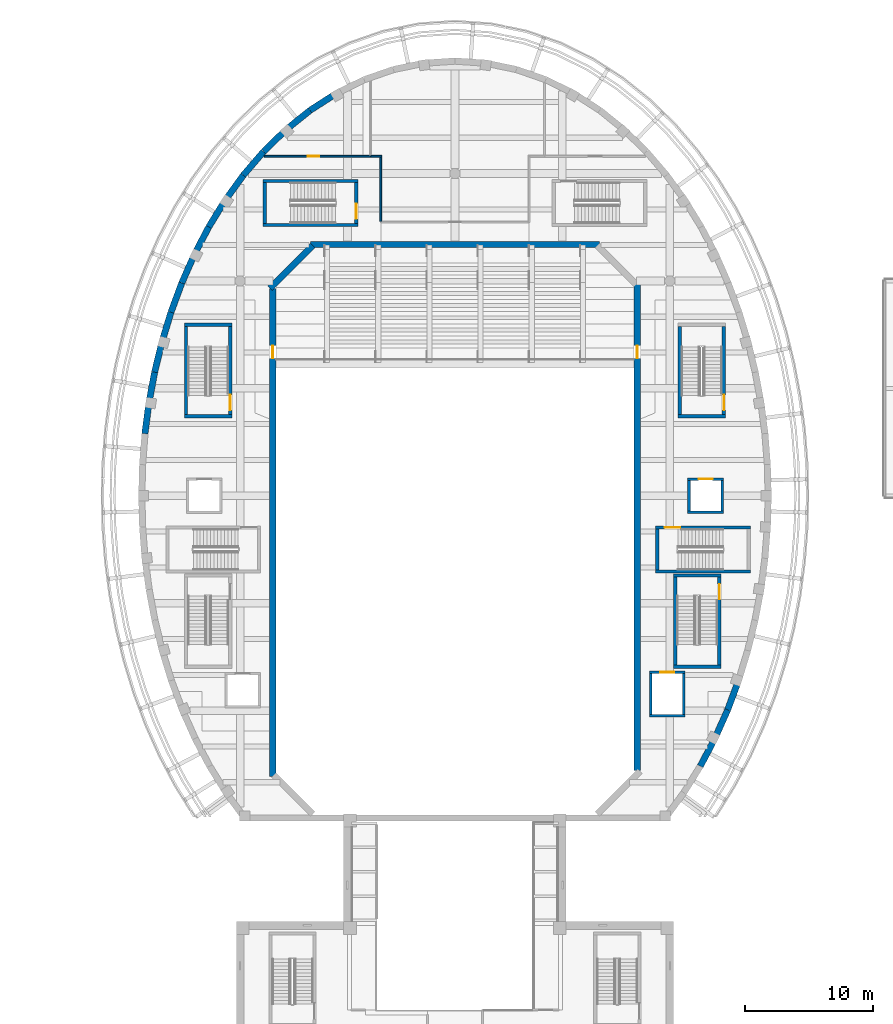
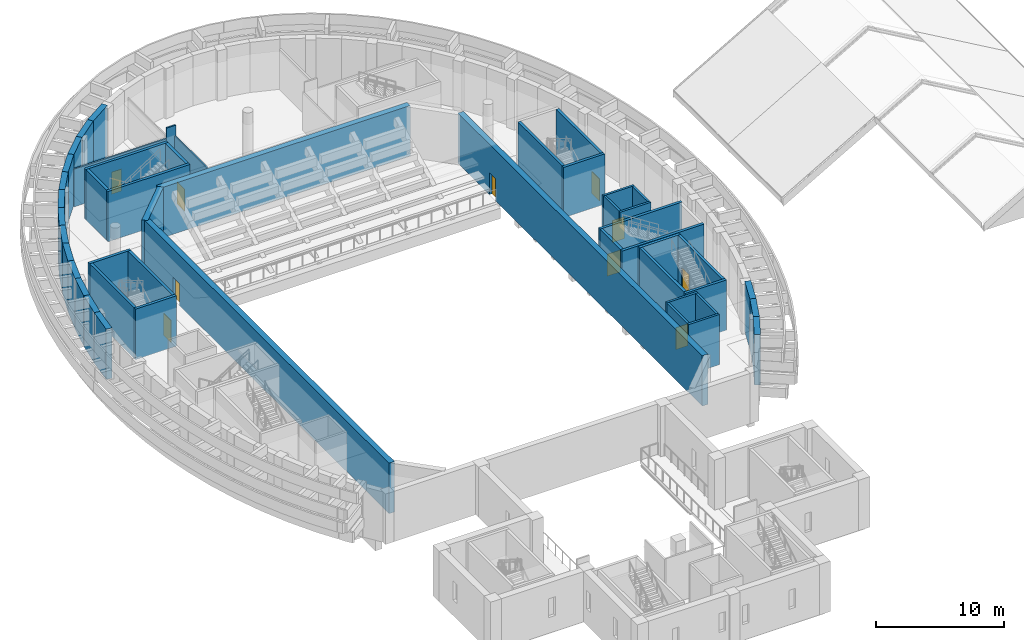
# One storey, part 13 of 37: 49 walls, 10 doors, 10 openings.
"""IFC4 building model written with IfcOpenShell, lengths in metres."""

from ifc_helpers import new_model, si_unit, direction, frame, frame_2d, origin, place, context, subcontext, project, spatial, rectangle, extrude, material, layer, layer_set, type_object, element, fill, save


model = new_model("IFC4")

# Units and contexts
model_context = context("Model", 3, precision=1e-05, world=origin(), true_north=direction((0.0, 1.0)))
body_context = subcontext(model_context, "Body", "Model", "MODEL_VIEW")
ifc_project = project(units=[si_unit("LENGTHUNIT", "METRE"), si_unit("AREAUNIT", "SQUARE_METRE"), si_unit("VOLUMEUNIT", "CUBIC_METRE"), si_unit("PLANEANGLEUNIT", "RADIAN"), si_unit("MASSUNIT", "GRAM", prefix="KILO")], contexts=[model_context])

# Site, building, storey
site_placement = place(None, origin())
site = spatial("IfcSite", under=ifc_project, at=site_placement, CompositionType="ELEMENT")
building_placement = place(site_placement, origin())
building = spatial("IfcBuilding", under=site, at=building_placement, Name="Larchfold Concert Hall", CompositionType="ELEMENT")
storey_placement = place(building_placement, frame((0.0, 0.0, 19.199951171875)))
storey = spatial("IfcBuildingStorey", under=building, at=storey_placement, Name="L04", CompositionType="ELEMENT", Elevation=19.199951171875)

# Wall, opening, door
ifc_material_1 = material(Name="Plasterboard partition on steel studs", Category="steel")
ifc_layer_1 = layer(ifc_material_1, 0.125)
ifc_layer_set_1 = layer_set([ifc_layer_1], Name="Plasterboard partition on steel studs")
wall_type_1 = type_object("IfcWallType", Name="Corridor partition 125 EI 60", PredefinedType="PARTITIONING", material=ifc_layer_set_1)
wall_1_placement = place(storey_placement, frame((27.69091796875, 111.14892578125, 0.0), z_axis=(0.0, 0.0, 1.0), x_axis=(1.0, 0.0, 0.0)))
wall_1 = element("IfcWall", 1, at=wall_1_placement, inside=storey, type_object=wall_type_1, Name="Partition IW0005", PredefinedType="PARTITIONING", context=body_context, shape_type="SweptSolid", body=[
    extrude(rectangle(XDim=8.328125, YDim=0.125, at=frame_2d((4.1640625, 0.0))), origin(), (0.0, 0.0, 1.0), 3.60009765625),
])
opening_1_placement = place(wall_1_placement, frame((3.39208984375, 0.0, 0.0)))
opening_1 = element("IfcOpeningElement", 2, at=opening_1_placement, cuts=wall_1, Name="Opening D-L04-103", PredefinedType="OPENING", context=body_context, shape_type="SweptSolid", body=[
    extrude(rectangle(XDim=0.89990234375, YDim=2.10009765625, at=frame_2d((0.449951171875, 1.050048828125))), frame((0.0, 0.072509765625, 0.0), z_axis=(0.0, -1.0, 0.0), x_axis=(1.0, 0.0, 0.0)), (0.0, 0.0, 1.0), 0.14501953125),
])
ifc_material_2 = material(Name="Timber door leaf", Category="wood")
door_type_1 = type_object("IfcDoorType", Name="Public toilet door 900 x 2100 FD30S", OperationType="SINGLE_SWING_LEFT", PredefinedType="DOOR", material=ifc_material_2)
door_1_placement = place(opening_1_placement, origin())
door_1 = element("IfcDoor", 3, at=door_1_placement, inside=storey, type_object=door_type_1, Name="Door D-L04-103", OperationType="SINGLE_SWING_RIGHT", OverallHeight=2.10009765625, OverallWidth=0.89990234375, PredefinedType="DOOR", context=body_context, shape_type="SweptSolid", body=[
    extrude(rectangle(XDim=0.89990234375, YDim=2.10009765625, at=frame_2d((0.449951171875, 1.050048828125))), frame((0.0, 0.02490234375, 0.0), z_axis=(0.0, -1.0, 0.0), x_axis=(1.0, 0.0, 0.0)), (0.0, 0.0, 1.0), 0.050048828125),
])
fill(opening_1, door_1)

# Walls
wall_2_placement = place(storey_placement, frame((36.02001953125, 111.14892578125, 0.0), z_axis=(0.0, 0.0, 1.0), x_axis=(1.0, 0.0, 0.0)))
element("IfcWall", 4, at=wall_2_placement, inside=storey, type_object=wall_type_1, Name="Partition IW0006", PredefinedType="PARTITIONING", context=body_context, shape_type="SweptSolid", body=[
    extrude(rectangle(XDim=0.841552734375, YDim=0.125, at=frame_2d((0.4208984375, 0.0))), origin(), (0.0, 0.0, 1.0), 4.60009765625),
])
wall_3_placement = place(storey_placement, frame((36.799072265625, 111.08642578125, 0.0), z_axis=(0.0, 0.0, 1.0), x_axis=(0.0, -1.0, 0.0)))
element("IfcWall", 5, at=wall_3_placement, inside=storey, type_object=wall_type_1, Name="Partition IW0007", PredefinedType="PARTITIONING", context=body_context, shape_type="SweptSolid", body=[
    extrude(rectangle(XDim=5.021484375, YDim=0.125, at=frame_2d((2.5107421875, 0.0))), origin(), (0.0, 0.0, 1.0), 3.60009765625),
])
ifc_material_3 = material(Name="Concrete C40/50", Category="concrete")
ifc_layer_2 = layer(ifc_material_3, 0.199951171875)
ifc_layer_set_2 = layer_set([ifc_layer_2], Name="Concrete C40/50")
wall_type_2 = type_object("IfcWallType", Name="Wall RC 200 lift shaft", PredefinedType="SOLIDWALL", material=ifc_layer_set_2)
wall_4_placement = place(storey_placement, frame((57.800048828125, 67.400146484375, 0.0), z_axis=(0.0, 0.0, 1.0), x_axis=(1.0, 0.0, 0.0)))
element("IfcWall", 6, at=wall_4_placement, inside=storey, type_object=wall_type_2, Name="Wall W0086", PredefinedType="SOLIDWALL", context=body_context, shape_type="SweptSolid", body=[
    extrude(rectangle(XDim=2.800048828125, YDim=0.199951171875, at=frame_2d((1.39990234375, 0.0))), origin(), (0.0, 0.0, 1.0), 4.800048828125),
])

# Wall, opening, door
wall_5_placement = place(storey_placement, frame((57.800048828125, 70.7998046875, 0.0), z_axis=(0.0, 0.0, 1.0), x_axis=(1.0, 0.0, 0.0)))
wall_5 = element("IfcWall", 7, at=wall_5_placement, inside=storey, type_object=wall_type_2, Name="Wall W0087", PredefinedType="SOLIDWALL", context=body_context, shape_type="SweptSolid", body=[
    extrude(rectangle(XDim=2.800048828125, YDim=0.199951171875, at=frame_2d((1.39990234375, 0.0))), origin(), (0.0, 0.0, 1.0), 4.800048828125),
])
opening_2_placement = place(wall_5_placement, frame((0.85009765625, 0.0, 0.0)))
opening_2 = element("IfcOpeningElement", 8, at=opening_2_placement, cuts=wall_5, Name="Opening LD-LF01", PredefinedType="OPENING", context=body_context, shape_type="SweptSolid", body=[
    extrude(rectangle(XDim=1.10009765625, YDim=2.10009765625, at=frame_2d((0.550048828125, 1.050048828125))), frame((0.0, 0.10986328125, 0.0), z_axis=(0.0, -1.0, 0.0), x_axis=(1.0, 0.0, 0.0)), (0.0, 0.0, 1.0), 0.219970703125),
])
ifc_material_4 = material(Name="Stainless steel sliding leaves", Category="steel")
door_type_2 = type_object("IfcDoorType", Name="Lift landing door sliding 1100 x 2100", OperationType="SLIDING_TO_LEFT", PredefinedType="DOOR", material=ifc_material_4)
door_2_placement = place(opening_2_placement, origin())
door_2 = element("IfcDoor", 9, at=door_2_placement, inside=storey, type_object=door_type_2, Name="Lift landing door LF01", OperationType="SLIDING_TO_LEFT", OverallHeight=2.10009765625, OverallWidth=1.10009765625, PredefinedType="DOOR", context=body_context, shape_type="SweptSolid", body=[
    extrude(rectangle(XDim=1.10009765625, YDim=2.10009765625, at=frame_2d((0.550048828125, 1.050048828125))), frame((0.0, 0.02490234375, 0.0), z_axis=(0.0, -1.0, 0.0), x_axis=(1.0, 0.0, 0.0)), (0.0, 0.0, 1.0), 0.050048828125),
])
fill(opening_2, door_2)

# Walls
for number, where, z_axis, x_axis, name in (
    (10, (57.900146484375, 67.5, 0.0), (0.0, 0.0, 1.0), (0.0, 1.0, 0.0), "Wall W0088"),
    (11, (60.5, 67.5, 0.0), (0.0, 0.0, 1.0), (0.0, 1.0, 0.0), "Wall W0089"),
):
    element("IfcWall", number, at=place(storey_placement, frame(where, z_axis=z_axis, x_axis=x_axis)), inside=storey, type_object=wall_type_2, Name=name, PredefinedType="SOLIDWALL", context=body_context, shape_type="SweptSolid", body=[
        extrude(rectangle(XDim=3.199951171875, YDim=0.199951171875, at=frame_2d((1.60009765625, 0.0))), origin(), (0.0, 0.0, 1.0), 4.800048828125),
    ])
wall_6_placement = place(storey_placement, frame((60.800048828125, 83.300048828125, 0.0), z_axis=(0.0, 0.0, 1.0), x_axis=(1.0, 0.0, 0.0)))
element("IfcWall", 12, at=wall_6_placement, inside=storey, type_object=wall_type_2, Name="Wall W0094", PredefinedType="SOLIDWALL", context=body_context, shape_type="SweptSolid", body=[
    extrude(rectangle(XDim=2.800048828125, YDim=0.199951171875, at=frame_2d((1.39990234375, 0.0))), origin(), (0.0, 0.0, 1.0), 4.800048828125),
])

# Wall, opening, door
wall_7_placement = place(storey_placement, frame((60.800048828125, 85.89990234375, 0.0), z_axis=(0.0, 0.0, 1.0), x_axis=(1.0, 0.0, 0.0)))
wall_7 = element("IfcWall", 13, at=wall_7_placement, inside=storey, type_object=wall_type_2, Name="Wall W0095", PredefinedType="SOLIDWALL", context=body_context, shape_type="SweptSolid", body=[
    extrude(rectangle(XDim=2.800048828125, YDim=0.199951171875, at=frame_2d((1.39990234375, 0.0))), origin(), (0.0, 0.0, 1.0), 4.800048828125),
])
opening_3_placement = place(wall_7_placement, frame((0.85009765625, 0.0, 0.0)))
opening_3 = element("IfcOpeningElement", 14, at=opening_3_placement, cuts=wall_7, Name="Opening LD-LF03", PredefinedType="OPENING", context=body_context, shape_type="SweptSolid", body=[
    extrude(rectangle(XDim=1.10009765625, YDim=2.10009765625, at=frame_2d((0.550048828125, 1.050048828125))), frame((0.0, 0.10986328125, 0.0), z_axis=(0.0, -1.0, 0.0), x_axis=(1.0, 0.0, 0.0)), (0.0, 0.0, 1.0), 0.219970703125),
])
door_3_placement = place(opening_3_placement, origin())
door_3 = element("IfcDoor", 15, at=door_3_placement, inside=storey, type_object=door_type_2, Name="Lift landing door LF03", OperationType="SLIDING_TO_LEFT", OverallHeight=2.10009765625, OverallWidth=1.10009765625, PredefinedType="DOOR", context=body_context, shape_type="SweptSolid", body=[
    extrude(rectangle(XDim=1.10009765625, YDim=2.10009765625, at=frame_2d((0.550048828125, 1.050048828125))), frame((0.0, 0.02490234375, 0.0), z_axis=(0.0, -1.0, 0.0), x_axis=(1.0, 0.0, 0.0)), (0.0, 0.0, 1.0), 0.050048828125),
])
fill(opening_3, door_3)

# Walls
for number, where, z_axis, x_axis, name in (
    (16, (60.900146484375, 83.39990234375, 0.0), (0.0, 0.0, 1.0), (0.0, 1.0, 0.0), "Wall W0096"),
    (17, (63.5, 83.39990234375, 0.0), (0.0, 0.0, 1.0), (0.0, 1.0, 0.0), "Wall W0097"),
):
    element("IfcWall", number, at=place(storey_placement, frame(where, z_axis=z_axis, x_axis=x_axis)), inside=storey, type_object=wall_type_2, Name=name, PredefinedType="SOLIDWALL", context=body_context, shape_type="SweptSolid", body=[
        extrude(rectangle(XDim=2.400146484375, YDim=0.199951171875, at=frame_2d((1.2001953125, 0.0))), origin(), (0.0, 0.0, 1.0), 4.800048828125),
    ])
ifc_material_5 = material(Name="Concrete C40/50", Category="concrete")
ifc_layer_3 = layer(ifc_material_5, 0.25)
ifc_layer_set_3 = layer_set([ifc_layer_3], Name="Concrete C40/50")
wall_type_3 = type_object("IfcWallType", Name="Wall RC 250 stair core", PredefinedType="SOLIDWALL", material=ifc_layer_set_3)
wall_8_placement = place(storey_placement, frame((60.050048828125, 90.824951171875, 0.0), z_axis=(0.0, 0.0, 1.0), x_axis=(1.0, 0.0, 0.0)))
element("IfcWall", 18, at=wall_8_placement, inside=storey, type_object=wall_type_3, Name="Wall W0026", PredefinedType="SOLIDWALL", context=body_context, shape_type="SweptSolid", body=[
    extrude(rectangle(XDim=3.699951171875, YDim=0.25, at=frame_2d((1.85009765625, 0.0))), origin(), (0.0, 0.0, 1.0), 4.800048828125),
])
wall_9_placement = place(storey_placement, frame((60.175048828125, 90.949951171875, 0.0), z_axis=(0.0, 0.0, 1.0), x_axis=(0.0, 1.0, 0.0)))
element("IfcWall", 19, at=wall_9_placement, inside=storey, type_object=wall_type_3, Name="Wall W0028", PredefinedType="SOLIDWALL", context=body_context, shape_type="SweptSolid", body=[
    extrude(rectangle(XDim=6.900146484375, YDim=0.25, at=frame_2d((3.4501953125, 0.0))), origin(), (0.0, 0.0, 1.0), 4.800048828125),
])

# Wall, opening, door
wall_10_placement = place(storey_placement, frame((63.625, 90.949951171875, 0.0), z_axis=(0.0, 0.0, 1.0), x_axis=(0.0, 1.0, 0.0)))
wall_10 = element("IfcWall", 20, at=wall_10_placement, inside=storey, type_object=wall_type_3, Name="Wall W0029", PredefinedType="SOLIDWALL", context=body_context, shape_type="SweptSolid", body=[
    extrude(rectangle(XDim=6.900146484375, YDim=0.25, at=frame_2d((3.4501953125, 0.0))), origin(), (0.0, 0.0, 1.0), 4.800048828125),
])
opening_4_placement = place(wall_10_placement, frame((0.35009765625, 0.0, 0.0)))
opening_4 = element("IfcOpeningElement", 21, at=opening_4_placement, cuts=wall_10, Name="Opening D-L04-122", PredefinedType="OPENING", context=body_context, shape_type="SweptSolid", body=[
    extrude(rectangle(XDim=1.199951171875, YDim=2.10009765625, at=frame_2d((0.60009765625, 1.050048828125))), frame((0.0, 0.135009765625, 0.0), z_axis=(0.0, -1.0, 0.0), x_axis=(1.0, 0.0, 0.0)), (0.0, 0.0, 1.0), 0.27001953125),
])
ifc_material_6 = material(Name="Timber door leaf", Category="wood")
door_type_3 = type_object("IfcDoorType", Name="Stair enclosure door pair 1200 x 2100 FD60", OperationType="SINGLE_SWING_LEFT", PredefinedType="DOOR", material=ifc_material_6)
door_4_placement = place(opening_4_placement, origin())
door_4 = element("IfcDoor", 22, at=door_4_placement, inside=storey, type_object=door_type_3, Name="Door D-L04-122", OperationType="DOUBLE_DOOR_SINGLE_SWING", OverallHeight=2.10009765625, OverallWidth=1.199951171875, PredefinedType="DOOR", context=body_context, shape_type="SweptSolid", body=[
    extrude(rectangle(XDim=1.199951171875, YDim=2.10009765625, at=frame_2d((0.60009765625, 1.050048828125))), frame((0.0, 0.02490234375, 0.0), z_axis=(0.0, -1.0, 0.0), x_axis=(1.0, 0.0, 0.0)), (0.0, 0.0, 1.0), 0.050048828125),
])
fill(opening_4, door_4)

# Walls
for number, where, z_axis, x_axis, name in (
    (23, (27.60009765625, 105.77490234375, 0.0), (0.0, 0.0, 1.0), (1.0, 0.0, 0.0), "Wall W0034"),
    (24, (27.60009765625, 109.22509765625, 0.0), (0.0, 0.0, 1.0), (1.0, 0.0, 0.0), "Wall W0035"),
):
    element("IfcWall", number, at=place(storey_placement, frame(where, z_axis=z_axis, x_axis=x_axis)), inside=storey, type_object=wall_type_3, Name=name, PredefinedType="SOLIDWALL", context=body_context, shape_type="SweptSolid", body=[
        extrude(rectangle(XDim=7.39990234375, YDim=0.25, at=frame_2d((3.699951171875, 0.0))), origin(), (0.0, 0.0, 1.0), 4.800048828125),
    ])
wall_11_placement = place(storey_placement, frame((27.72509765625, 105.89990234375, 0.0), z_axis=(0.0, 0.0, 1.0), x_axis=(0.0, 1.0, 0.0)))
element("IfcWall", 25, at=wall_11_placement, inside=storey, type_object=wall_type_3, Name="Wall W0036", PredefinedType="SOLIDWALL", context=body_context, shape_type="SweptSolid", body=[
    extrude(rectangle(XDim=3.2001953125, YDim=0.25, at=frame_2d((1.60009765625, 0.0))), origin(), (0.0, 0.0, 1.0), 4.800048828125),
])

# Wall, opening, door
wall_12_placement = place(storey_placement, frame((34.875, 105.89990234375, 0.0), z_axis=(0.0, 0.0, 1.0), x_axis=(0.0, 1.0, 0.0)))
wall_12 = element("IfcWall", 26, at=wall_12_placement, inside=storey, type_object=wall_type_3, Name="Wall W0037", PredefinedType="SOLIDWALL", context=body_context, shape_type="SweptSolid", body=[
    extrude(rectangle(XDim=3.2001953125, YDim=0.25, at=frame_2d((1.60009765625, 0.0))), origin(), (0.0, 0.0, 1.0), 4.800048828125),
])
opening_5_placement = place(wall_12_placement, frame((0.35009765625, 0.0, 0.0)))
opening_5 = element("IfcOpeningElement", 27, at=opening_5_placement, cuts=wall_12, Name="Opening D-L04-123", PredefinedType="OPENING", context=body_context, shape_type="SweptSolid", body=[
    extrude(rectangle(XDim=1.199951171875, YDim=2.10009765625, at=frame_2d((0.60009765625, 1.050048828125))), frame((0.0, 0.135009765625, 0.0), z_axis=(0.0, -1.0, 0.0), x_axis=(1.0, 0.0, 0.0)), (0.0, 0.0, 1.0), 0.27001953125),
])
door_5_placement = place(opening_5_placement, origin())
door_5 = element("IfcDoor", 28, at=door_5_placement, inside=storey, type_object=door_type_3, Name="Door D-L04-123", OperationType="DOUBLE_DOOR_SINGLE_SWING", OverallHeight=2.10009765625, OverallWidth=1.199951171875, PredefinedType="DOOR", context=body_context, shape_type="SweptSolid", body=[
    extrude(rectangle(XDim=1.199951171875, YDim=2.10009765625, at=frame_2d((0.60009765625, 1.050048828125))), frame((0.0, 0.02490234375, 0.0), z_axis=(0.0, -1.0, 0.0), x_axis=(1.0, 0.0, 0.0)), (0.0, 0.0, 1.0), 0.050048828125),
])
fill(opening_5, door_5)

# Walls
for number, where, z_axis, x_axis, name in (
    (29, (21.449951171875, 90.824951171875, 0.0), (0.0, 0.0, 1.0), (1.0, 0.0, 0.0), "Wall W0038"),
    (30, (21.449951171875, 97.97509765625, 0.0), (0.0, 0.0, 1.0), (1.0, 0.0, 0.0), "Wall W0039"),
):
    element("IfcWall", number, at=place(storey_placement, frame(where, z_axis=z_axis, x_axis=x_axis)), inside=storey, type_object=wall_type_3, Name=name, PredefinedType="SOLIDWALL", context=body_context, shape_type="SweptSolid", body=[
        extrude(rectangle(XDim=3.699951171875, YDim=0.25, at=frame_2d((1.85009765625, 0.0))), origin(), (0.0, 0.0, 1.0), 4.800048828125),
    ])
wall_13_placement = place(storey_placement, frame((21.574951171875, 90.949951171875, 0.0), z_axis=(0.0, 0.0, 1.0), x_axis=(0.0, 1.0, 0.0)))
element("IfcWall", 31, at=wall_13_placement, inside=storey, type_object=wall_type_3, Name="Wall W0040", PredefinedType="SOLIDWALL", context=body_context, shape_type="SweptSolid", body=[
    extrude(rectangle(XDim=6.900146484375, YDim=0.25, at=frame_2d((3.4501953125, 0.0))), origin(), (0.0, 0.0, 1.0), 4.800048828125),
])

# Wall, opening, door
wall_14_placement = place(storey_placement, frame((25.02490234375, 90.949951171875, 0.0), z_axis=(0.0, 0.0, 1.0), x_axis=(0.0, 1.0, 0.0)))
wall_14 = element("IfcWall", 32, at=wall_14_placement, inside=storey, type_object=wall_type_3, Name="Wall W0041", PredefinedType="SOLIDWALL", context=body_context, shape_type="SweptSolid", body=[
    extrude(rectangle(XDim=6.900146484375, YDim=0.25, at=frame_2d((3.4501953125, 0.0))), origin(), (0.0, 0.0, 1.0), 4.800048828125),
])
opening_6_placement = place(wall_14_placement, frame((0.35009765625, 0.0, 0.0)))
opening_6 = element("IfcOpeningElement", 33, at=opening_6_placement, cuts=wall_14, Name="Opening D-L04-121", PredefinedType="OPENING", context=body_context, shape_type="SweptSolid", body=[
    extrude(rectangle(XDim=1.199951171875, YDim=2.10009765625, at=frame_2d((0.60009765625, 1.050048828125))), frame((0.0, 0.135009765625, 0.0), z_axis=(0.0, -1.0, 0.0), x_axis=(1.0, 0.0, 0.0)), (0.0, 0.0, 1.0), 0.27001953125),
])
door_6_placement = place(opening_6_placement, origin())
door_6 = element("IfcDoor", 34, at=door_6_placement, inside=storey, type_object=door_type_3, Name="Door D-L04-121", OperationType="DOUBLE_DOOR_SINGLE_SWING", OverallHeight=2.10009765625, OverallWidth=1.199951171875, PredefinedType="DOOR", context=body_context, shape_type="SweptSolid", body=[
    extrude(rectangle(XDim=1.199951171875, YDim=2.10009765625, at=frame_2d((0.60009765625, 1.050048828125))), frame((0.0, 0.02490234375, 0.0), z_axis=(0.0, -1.0, 0.0), x_axis=(1.0, 0.0, 0.0)), (0.0, 0.0, 1.0), 0.050048828125),
])
fill(opening_6, door_6)

# Walls
for number, where, z_axis, x_axis, name in (
    (35, (59.699951171875, 71.22509765625, 0.0), (0.0, 0.0, 1.0), (1.0, 0.0, 0.0), "Wall W0046"),
    (36, (59.699951171875, 78.375, 0.0), (0.0, 0.0, 1.0), (1.0, 0.0, 0.0), "Wall W0047"),
):
    element("IfcWall", number, at=place(storey_placement, frame(where, z_axis=z_axis, x_axis=x_axis)), inside=storey, type_object=wall_type_3, Name=name, PredefinedType="SOLIDWALL", context=body_context, shape_type="SweptSolid", body=[
        extrude(rectangle(XDim=3.699951171875, YDim=0.25, at=frame_2d((1.85009765625, 0.0))), origin(), (0.0, 0.0, 1.0), 4.800048828125),
    ])
wall_15_placement = place(storey_placement, frame((59.824951171875, 71.35009765625, 0.0), z_axis=(0.0, 0.0, 1.0), x_axis=(0.0, 1.0, 0.0)))
element("IfcWall", 37, at=wall_15_placement, inside=storey, type_object=wall_type_3, Name="Wall W0048", PredefinedType="SOLIDWALL", context=body_context, shape_type="SweptSolid", body=[
    extrude(rectangle(XDim=6.89990234375, YDim=0.25, at=frame_2d((3.449951171875, 0.0))), origin(), (0.0, 0.0, 1.0), 4.800048828125),
])

# Wall, opening, door
wall_16_placement = place(storey_placement, frame((63.27490234375, 71.35009765625, 0.0), z_axis=(0.0, 0.0, 1.0), x_axis=(0.0, 1.0, 0.0)))
wall_16 = element("IfcWall", 38, at=wall_16_placement, inside=storey, type_object=wall_type_3, Name="Wall W0049", PredefinedType="SOLIDWALL", context=body_context, shape_type="SweptSolid", body=[
    extrude(rectangle(XDim=6.89990234375, YDim=0.25, at=frame_2d((3.449951171875, 0.0))), origin(), (0.0, 0.0, 1.0), 4.800048828125),
])
opening_7_placement = place(wall_16_placement, frame((5.14990234375, 0.0, 0.0)))
opening_7 = element("IfcOpeningElement", 39, at=opening_7_placement, cuts=wall_16, Name="Opening D-L04-118", PredefinedType="OPENING", context=body_context, shape_type="SweptSolid", body=[
    extrude(rectangle(XDim=1.199951171875, YDim=2.10009765625, at=frame_2d((0.60009765625, 1.050048828125))), frame((0.0, 0.135009765625, 0.0), z_axis=(0.0, -1.0, 0.0), x_axis=(1.0, 0.0, 0.0)), (0.0, 0.0, 1.0), 0.27001953125),
])
door_7_placement = place(opening_7_placement, origin())
door_7 = element("IfcDoor", 40, at=door_7_placement, inside=storey, type_object=door_type_3, Name="Door D-L04-118", OperationType="DOUBLE_DOOR_SINGLE_SWING", OverallHeight=2.10009765625, OverallWidth=1.199951171875, PredefinedType="DOOR", context=body_context, shape_type="SweptSolid", body=[
    extrude(rectangle(XDim=1.199951171875, YDim=2.10009765625, at=frame_2d((0.60009765625, 1.050048828125))), frame((0.0, 0.02490234375, 0.0), z_axis=(0.0, -1.0, 0.0), x_axis=(1.0, 0.0, 0.0)), (0.0, 0.0, 1.0), 0.050048828125),
])
fill(opening_7, door_7)

# Wall
wall_17_placement = place(storey_placement, frame((58.300048828125, 78.675048828125, 0.0), z_axis=(0.0, 0.0, 1.0), x_axis=(1.0, 0.0, 0.0)))
element("IfcWall", 41, at=wall_17_placement, inside=storey, type_object=wall_type_3, Name="Wall W0054", PredefinedType="SOLIDWALL", context=body_context, shape_type="SweptSolid", body=[
    extrude(rectangle(XDim=7.39990234375, YDim=0.25, at=frame_2d((3.699951171875, 0.0))), origin(), (0.0, 0.0, 1.0), 4.800048828125),
])

# Wall, opening, door
wall_18_placement = place(storey_placement, frame((58.300048828125, 82.125, 0.0), z_axis=(0.0, 0.0, 1.0), x_axis=(1.0, 0.0, 0.0)))
wall_18 = element("IfcWall", 42, at=wall_18_placement, inside=storey, type_object=wall_type_3, Name="Wall W0055", PredefinedType="SOLIDWALL", context=body_context, shape_type="SweptSolid", body=[
    extrude(rectangle(XDim=7.39990234375, YDim=0.25, at=frame_2d((3.699951171875, 0.0))), origin(), (0.0, 0.0, 1.0), 4.800048828125),
])
opening_8_placement = place(wall_18_placement, frame((0.699951171875, 0.0, 0.0)))
opening_8 = element("IfcOpeningElement", 43, at=opening_8_placement, cuts=wall_18, Name="Opening D-L04-120", PredefinedType="OPENING", context=body_context, shape_type="SweptSolid", body=[
    extrude(rectangle(XDim=1.199951171875, YDim=2.10009765625, at=frame_2d((0.60009765625, 1.050048828125))), frame((0.0, 0.135009765625, 0.0), z_axis=(0.0, -1.0, 0.0), x_axis=(1.0, 0.0, 0.0)), (0.0, 0.0, 1.0), 0.27001953125),
])
door_8_placement = place(opening_8_placement, origin())
door_8 = element("IfcDoor", 44, at=door_8_placement, inside=storey, type_object=door_type_3, Name="Door D-L04-120", OperationType="DOUBLE_DOOR_SINGLE_SWING", OverallHeight=2.10009765625, OverallWidth=1.199951171875, PredefinedType="DOOR", context=body_context, shape_type="SweptSolid", body=[
    extrude(rectangle(XDim=1.199951171875, YDim=2.10009765625, at=frame_2d((0.60009765625, 1.050048828125))), frame((0.0, 0.02490234375, 0.0), z_axis=(0.0, -1.0, 0.0), x_axis=(1.0, 0.0, 0.0)), (0.0, 0.0, 1.0), 0.050048828125),
])
fill(opening_8, door_8)

# Walls
wall_19_placement = place(storey_placement, frame((58.425048828125, 78.800048828125, 0.0), z_axis=(0.0, 0.0, 1.0), x_axis=(0.0, 1.0, 0.0)))
element("IfcWall", 45, at=wall_19_placement, inside=storey, type_object=wall_type_3, Name="Wall W0056", PredefinedType="SOLIDWALL", context=body_context, shape_type="SweptSolid", body=[
    extrude(rectangle(XDim=3.199951171875, YDim=0.25, at=frame_2d((1.60009765625, 0.0))), origin(), (0.0, 0.0, 1.0), 4.800048828125),
])
ifc_material_7 = material(Name="Concrete C30/37", Category="concrete")
ifc_layer_4 = layer(ifc_material_7, 0.5)
ifc_layer_set_4 = layer_set([ifc_layer_4], Name="Concrete C30/37")
wall_type_4 = type_object("IfcWallType", Name="Wall RC 500 drum facade", PredefinedType="SOLIDWALL", material=ifc_layer_set_4)
wall_20_placement = place(storey_placement, frame((33.31298828125, 116.062744140625, 0.0), z_axis=(0.0, 0.0, 1.0), x_axis=(-0.840519246372, -0.541781687101, 0.0)))
element("IfcWall", 46, at=wall_20_placement, inside=storey, type_object=wall_type_4, Name="Wall DW024", PredefinedType="SOLIDWALL", context=body_context, shape_type="SweptSolid", body=[
    extrude(rectangle(XDim=2.432861328125, YDim=0.5, at=frame_2d((1.21630859375, 0.0))), origin(), (0.0, 0.0, 1.0), 4.800048828125),
])
wall_21_placement = place(storey_placement, frame((31.26806640625, 114.74462890625, 0.0), z_axis=(0.0, 0.0, 1.0), x_axis=(-0.779015271296, -0.627004949811, 0.0)))
element("IfcWall", 47, at=wall_21_placement, inside=storey, type_object=wall_type_4, Name="Wall DW025", PredefinedType="SOLIDWALL", context=body_context, shape_type="SweptSolid", body=[
    extrude(rectangle(XDim=2.43310546875, YDim=0.5, at=frame_2d((1.216552734375, 0.0))), origin(), (0.0, 0.0, 1.0), 4.800048828125),
])
for number, where, z_axis, x_axis, name in (
    (48, (29.37255859375, 113.218994140625, 0.0), (0.0, 0.0, 1.0), (-0.71498883591, -0.69913586986, 0.0), "Wall DW026"),
    (49, (27.6328125, 111.517822265625, 0.0), (0.0, 0.0, 1.0), (-0.650526940133, -0.759483179643, 0.0), "Wall DW027"),
):
    element("IfcWall", number, at=place(storey_placement, frame(where, z_axis=z_axis, x_axis=x_axis)), inside=storey, type_object=wall_type_4, Name=name, PredefinedType="SOLIDWALL", context=body_context, shape_type="SweptSolid", body=[
        extrude(rectangle(XDim=2.433349609375, YDim=0.5, at=frame_2d((1.216796875, 0.0))), origin(), (0.0, 0.0, 1.0), 4.800048828125),
    ])
wall_22_placement = place(storey_placement, frame((26.0498046875, 109.669677734375, 0.0), z_axis=(0.0, 0.0, 1.0), x_axis=(-0.586643688245, -0.809845159918, 0.0)))
element("IfcWall", 50, at=wall_22_placement, inside=storey, type_object=wall_type_4, Name="Wall DW028", PredefinedType="SOLIDWALL", context=body_context, shape_type="SweptSolid", body=[
    extrude(rectangle(XDim=2.433837890625, YDim=0.5, at=frame_2d((1.216796875, 0.0))), origin(), (0.0, 0.0, 1.0), 4.800048828125),
])
wall_23_placement = place(storey_placement, frame((24.6220703125, 107.69873046875, 0.0), z_axis=(0.0, 0.0, 1.0), x_axis=(-0.524097425664, -0.851658316705, 0.0)))
element("IfcWall", 51, at=wall_23_placement, inside=storey, type_object=wall_type_4, Name="Wall DW029", PredefinedType="SOLIDWALL", context=body_context, shape_type="SweptSolid", body=[
    extrude(rectangle(XDim=2.43359375, YDim=0.5, at=frame_2d((1.216796875, 0.0))), origin(), (0.0, 0.0, 1.0), 4.800048828125),
])
wall_24_placement = place(storey_placement, frame((23.3466796875, 105.626220703125, 0.0), z_axis=(0.0, 0.0, 1.0), x_axis=(-0.463152141842, -0.886278789945, 0.0)))
element("IfcWall", 52, at=wall_24_placement, inside=storey, type_object=wall_type_4, Name="Wall DW030", PredefinedType="SOLIDWALL", context=body_context, shape_type="SweptSolid", body=[
    extrude(rectangle(XDim=2.433837890625, YDim=0.5, at=frame_2d((1.216796875, 0.0))), origin(), (0.0, 0.0, 1.0), 4.800048828125),
])
wall_25_placement = place(storey_placement, frame((22.219482421875, 103.46923828125, 0.0), z_axis=(0.0, 0.0, 1.0), x_axis=(-0.404089673612, -0.914719375371, 0.0)))
element("IfcWall", 53, at=wall_25_placement, inside=storey, type_object=wall_type_4, Name="Wall DW031", PredefinedType="SOLIDWALL", context=body_context, shape_type="SweptSolid", body=[
    extrude(rectangle(XDim=2.43359375, YDim=0.5, at=frame_2d((1.216796875, 0.0))), origin(), (0.0, 0.0, 1.0), 4.800048828125),
])
for number, where, z_axis, x_axis, name in (
    (54, (21.236083984375, 101.2431640625, 0.0), (0.0, 0.0, 1.0), (-0.346579149604, -0.938020731679, 0.0), "Wall DW032"),
    (55, (20.392578125, 98.960205078125, 0.0), (0.0, 0.0, 1.0), (-0.290594767559, -0.956846215997, 0.0), "Wall DW033"),
    (56, (19.685302734375, 96.63134765625, 0.0), (0.0, 0.0, 1.0), (-0.235921551206, -0.971772103776, 0.0), "Wall DW034"),
    (57, (19.111083984375, 94.26611328125, 0.0), (0.0, 0.0, 1.0), (-0.182362243365, -0.983231413348, 0.0), "Wall DW035"),
    (58, (18.667236328125, 91.873046875, 0.0), (0.0, 0.0, 1.0), (-0.129699392582, -0.991553360926, 0.0), "Wall DW036"),
):
    element("IfcWall", number, at=place(storey_placement, frame(where, z_axis=z_axis, x_axis=x_axis)), inside=storey, type_object=wall_type_4, Name=name, PredefinedType="SOLIDWALL", context=body_context, shape_type="SweptSolid", body=[
        extrude(rectangle(XDim=2.433837890625, YDim=0.5, at=frame_2d((1.216796875, 0.0))), origin(), (0.0, 0.0, 1.0), 4.800048828125),
    ])
wall_26_placement = place(storey_placement, frame((61.785888671875, 63.45556640625, 0.0), z_axis=(0.0, 0.0, 1.0), x_axis=(0.466448872517, 0.884548161112, 0.0)))
element("IfcWall", 59, at=wall_26_placement, inside=storey, type_object=wall_type_4, Name="Wall DW053", PredefinedType="SOLIDWALL", context=body_context, shape_type="SweptSolid", body=[
    extrude(rectangle(XDim=2.448974609375, YDim=0.5, at=frame_2d((1.224609375, 0.0))), origin(), (0.0, 0.0, 1.0), 4.800048828125),
])
wall_27_placement = place(storey_placement, frame((62.92822265625, 65.621826171875, 0.0), z_axis=(0.0, 0.0, 1.0), x_axis=(0.406767391574, 0.913531766909, 0.0)))
element("IfcWall", 60, at=wall_27_placement, inside=storey, type_object=wall_type_4, Name="Wall DW054", PredefinedType="SOLIDWALL", context=body_context, shape_type="SweptSolid", body=[
    extrude(rectangle(XDim=2.44873046875, YDim=0.5, at=frame_2d((1.224365234375, 0.0))), origin(), (0.0, 0.0, 1.0), 4.800048828125),
])
wall_28_placement = place(storey_placement, frame((63.92431640625, 67.85888671875, 0.0), z_axis=(0.0, 0.0, 1.0), x_axis=(0.348817204426, 0.937190779882, 0.0)))
element("IfcWall", 61, at=wall_28_placement, inside=storey, type_object=wall_type_4, Name="Wall DW055", PredefinedType="SOLIDWALL", context=body_context, shape_type="SweptSolid", body=[
    extrude(rectangle(XDim=2.448974609375, YDim=0.5, at=frame_2d((1.224609375, 0.0))), origin(), (0.0, 0.0, 1.0), 4.800048828125),
])

# Wall, opening, door
ifc_material_8 = material(Name="Concrete C40/50", Category="concrete")
ifc_layer_5 = layer(ifc_material_8, 0.5)
ifc_layer_set_5 = layer_set([ifc_layer_5], Name="Concrete C40/50")
wall_type_5 = type_object("IfcWallType", Name="Wall RC 500 hall shell", PredefinedType="SOLIDWALL", material=ifc_layer_set_5)
wall_29_placement = place(storey_placement, frame((56.85009765625, 63.10009765625, 0.0), z_axis=(0.0, 0.0, 1.0), x_axis=(0.0, 1.0, 0.0)))
wall_29 = element("IfcWall", 62, at=wall_29_placement, inside=storey, type_object=wall_type_5, Name="Wall W0002", PredefinedType="SOLIDWALL", context=body_context, shape_type="SweptSolid", body=[
    extrude(rectangle(XDim=38.151123046875, YDim=0.5, at=frame_2d((19.07568359375, 0.0))), origin(), (0.0, 0.0, 1.0), 4.800048828125),
])
opening_9_placement = place(wall_29_placement, frame((33.25, 0.0, 0.0), z_axis=(0.0, 0.0, 1.0), x_axis=(-1.0, 0.0, 0.0)))
opening_9 = element("IfcOpeningElement", 63, at=opening_9_placement, cuts=wall_29, Name="Opening D-L04-133", PredefinedType="OPENING", context=body_context, shape_type="SweptSolid", body=[
    extrude(rectangle(XDim=1.0, YDim=2.10009765625, at=frame_2d((0.5, 1.050048828125))), frame((0.0, 0.260009765625, 0.0), z_axis=(0.0, -1.0, 0.0), x_axis=(1.0, 0.0, 0.0)), (0.0, 0.0, 1.0), 0.52001953125),
])
ifc_material_9 = material(Name="Timber door leaf", Category="wood")
door_type_4 = type_object("IfcDoorType", Name="Hall vomitory door pair, acoustic 1000 x 2100 FD60", OperationType="SINGLE_SWING_LEFT", PredefinedType="DOOR", material=ifc_material_9)
door_9_placement = place(opening_9_placement, origin())
door_9 = element("IfcDoor", 64, at=door_9_placement, inside=storey, type_object=door_type_4, Name="Door D-L04-133", OperationType="SINGLE_SWING_RIGHT", OverallHeight=2.10009765625, OverallWidth=1.0, PredefinedType="DOOR", context=body_context, shape_type="SweptSolid", body=[
    extrude(rectangle(XDim=1.0, YDim=2.10009765625, at=frame_2d((0.5, 1.050048828125))), frame((0.0, 0.02490234375, 0.0), z_axis=(0.0, -1.0, 0.0), x_axis=(1.0, 0.0, 0.0)), (0.0, 0.0, 1.0), 0.050048828125),
])
fill(opening_9, door_9)

# Walls
wall_30_placement = place(storey_placement, frame((53.89990234375, 104.25, 0.0), z_axis=(0.0, 0.0, 1.0), x_axis=(-1.0, 0.0, 0.0)))
element("IfcWall", 65, at=wall_30_placement, inside=storey, type_object=wall_type_5, Name="Wall W0004", PredefinedType="SOLIDWALL", context=body_context, shape_type="SweptSolid", body=[
    extrude(rectangle(XDim=22.599853515625, YDim=0.5, at=frame_2d((11.2998046875, 0.0))), origin(), (0.0, 0.0, 1.0), 4.800048828125),
])
wall_31_placement = place(storey_placement, frame((31.477294921875, 104.17724609375, 0.0), z_axis=(0.0, 0.0, 1.0), x_axis=(-0.707106781187, -0.707106781187, 0.0)))
element("IfcWall", 66, at=wall_31_placement, inside=storey, type_object=wall_type_5, Name="Wall W0005", PredefinedType="SOLIDWALL", context=body_context, shape_type="SweptSolid", body=[
    extrude(rectangle(XDim=4.720458984375, YDim=0.5, at=frame_2d((2.3603515625, 0.0))), origin(), (0.0, 0.0, 1.0), 4.800048828125),
])

# Wall, opening, door
wall_32_placement = place(storey_placement, frame((28.35009765625, 100.800048828125, 0.0), z_axis=(0.0, 0.0, 1.0), x_axis=(0.0, -1.0, 0.0)))
wall_32 = element("IfcWall", 67, at=wall_32_placement, inside=storey, type_object=wall_type_5, Name="Wall W0006", PredefinedType="SOLIDWALL", context=body_context, shape_type="SweptSolid", body=[
    extrude(rectangle(XDim=38.1513671875, YDim=0.5, at=frame_2d((19.07568359375, 0.0))), origin(), (0.0, 0.0, 1.0), 4.800048828125),
])
opening_10_placement = place(wall_32_placement, frame((5.449951171875, 0.0, 0.0), z_axis=(0.0, 0.0, 1.0), x_axis=(-1.0, 0.0, 0.0)))
opening_10 = element("IfcOpeningElement", 68, at=opening_10_placement, cuts=wall_32, Name="Opening D-L04-132", PredefinedType="OPENING", context=body_context, shape_type="SweptSolid", body=[
    extrude(rectangle(XDim=1.0, YDim=2.10009765625, at=frame_2d((0.5, 1.050048828125))), frame((0.0, 0.260009765625, 0.0), z_axis=(0.0, -1.0, 0.0), x_axis=(1.0, 0.0, 0.0)), (0.0, 0.0, 1.0), 0.52001953125),
])
door_10_placement = place(opening_10_placement, origin())
door_10 = element("IfcDoor", 69, at=door_10_placement, inside=storey, type_object=door_type_4, Name="Door D-L04-132", OperationType="SINGLE_SWING_LEFT", OverallHeight=2.10009765625, OverallWidth=1.0, PredefinedType="DOOR", context=body_context, shape_type="SweptSolid", body=[
    extrude(rectangle(XDim=1.0, YDim=2.10009765625, at=frame_2d((0.5, 1.050048828125))), frame((0.0, 0.02490234375, 0.0), z_axis=(0.0, -1.0, 0.0), x_axis=(1.0, 0.0, 0.0)), (0.0, 0.0, 1.0), 0.050048828125),
])
fill(opening_10, door_10)

save(model, "model.ifc")
